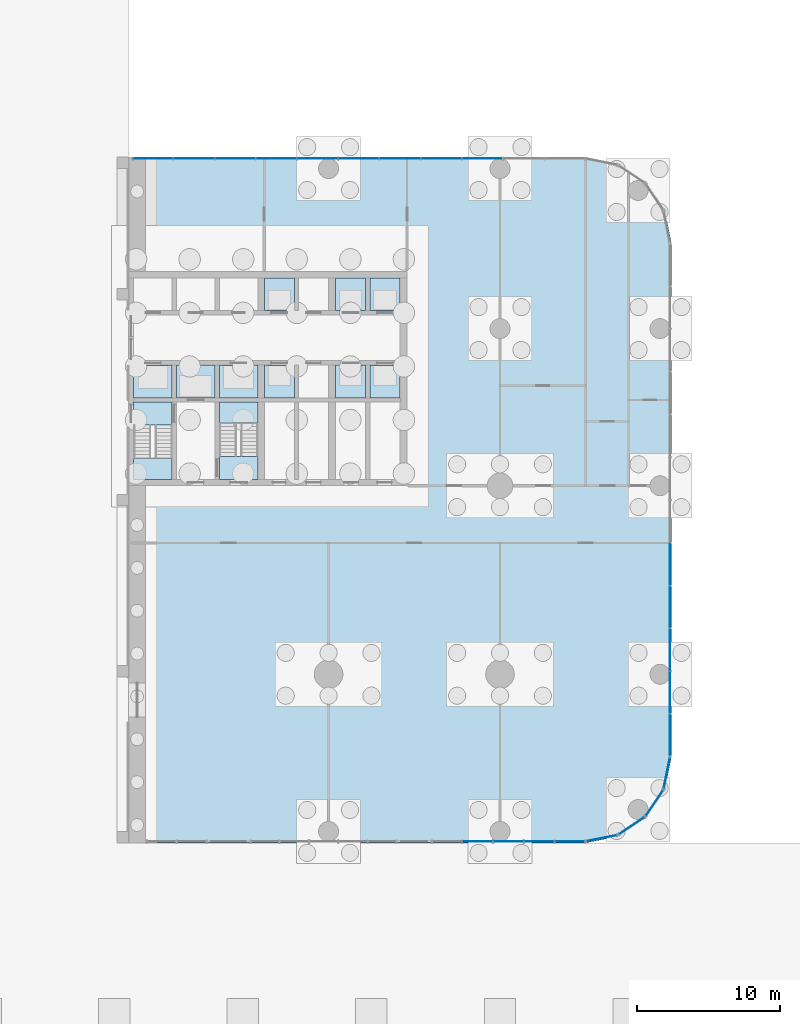
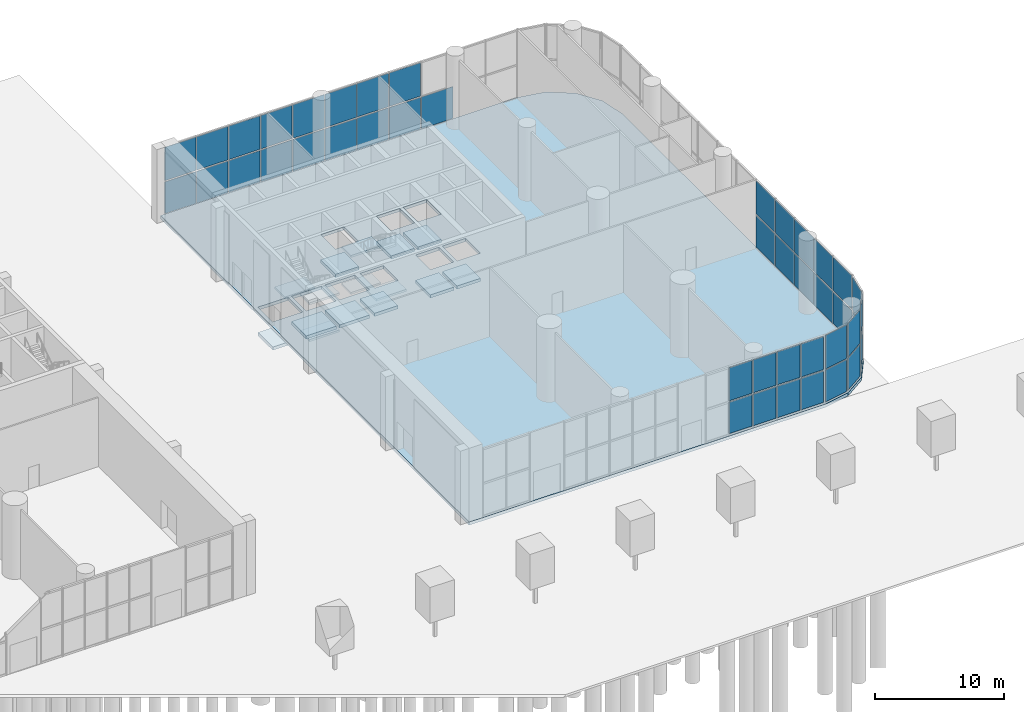
# One storey, part 15 of 26: 43 plates, 16 slabs, 9 elements without a shape of their own.
"""IFC4 building model written with IfcOpenShell, lengths in metres."""

from ifc_helpers import new_model, si_unit, direction, frame, origin, origin_2d, place, context, subcontext, project, spatial, polyline, rectangle, outline, extrude, material, layer, layer_set, type_object, element, aggregate, save


model = new_model("IFC4")

# Units and contexts
model_context = context("Model", 3, precision=1e-05, world=origin(), true_north=direction((0.0, 1.0)))
body_context = subcontext(model_context, "Body", "Model", "MODEL_VIEW")
ifc_project = project(units=[si_unit("LENGTHUNIT", "METRE"), si_unit("AREAUNIT", "SQUARE_METRE"), si_unit("VOLUMEUNIT", "CUBIC_METRE"), si_unit("PLANEANGLEUNIT", "RADIAN"), si_unit("MASSUNIT", "GRAM", prefix="KILO")], contexts=[model_context])

# Site, building, storey
site_placement = place(None, origin())
site = spatial("IfcSite", under=ifc_project, at=site_placement, CompositionType="ELEMENT")
building_placement = place(site_placement, origin())
building = spatial("IfcBuilding", under=site, at=building_placement, Name="Torana Hotel and Residences", CompositionType="ELEMENT")
storey_placement = place(building_placement, origin())
storey = spatial("IfcBuildingStorey", under=building, at=storey_placement, Name="L00", CompositionType="ELEMENT", Elevation=0.0)

# Curtain wall, plates
ifc_material_1 = material(Name="Dark anodised aluminium", Category="aluminium")
ifc_layer_1 = layer(ifc_material_1, 0.199951171875)
ifc_layer_set_1 = layer_set([ifc_layer_1], Name="CW1 PODIUM SHOPFRONT CURTAIN WALL")
curtain_wall_type_1 = type_object("IfcCurtainWallType", Name="CW1 PODIUM SHOPFRONT CURTAIN WALL", PredefinedType="NOTDEFINED", material=ifc_layer_set_1)
curtain_wall_1_placement = place(storey_placement, origin())
curtain_wall_1 = element("IfcCurtainWall", 1, at=curtain_wall_1_placement, inside=storey, type_object=curtain_wall_type_1, Name="Curtain wall CW1 L00 e1.1-1", PredefinedType="NOTDEFINED")
ifc_material_2 = material(Name="Glass clear low-iron double glazed unit", Category="glass")
ifc_layer_2 = layer(ifc_material_2, 0.035888671875)
ifc_layer_set_2 = layer_set([ifc_layer_2], Name="CW1 DARK GLASS PANEL 36")
plate_type_1 = type_object("IfcPlateType", Name="CW1 DARK GLASS PANEL 36", PredefinedType="CURTAIN_PANEL", material=ifc_layer_set_2)
plate_1_placement = place(storey_placement, frame((43.1162109375, -39.676025390625, 0.119873046875), z_axis=(0.0, 0.0, 1.0), x_axis=(0.980787135335, 0.195080996415, 0.0)))
plate_1 = element("IfcPlate", 2, at=plate_1_placement, type_object=plate_type_1, Name="CW1 panel 1.1", PredefinedType="CURTAIN_PANEL", context=body_context, shape_type="SweptSolid", body=[
    extrude(rectangle(XDim=2.126708984375, YDim=0.035888671875, at=origin_2d()), origin(), (0.0, 0.0, 1.0), 3.02001953125),
])
plate_2_placement = place(storey_placement, frame((43.1162109375, -39.676025390625, 3.260009765625), z_axis=(0.0, 0.0, 1.0), x_axis=(0.980787135335, 0.195080996415, 0.0)))
plate_2 = element("IfcPlate", 3, at=plate_2_placement, type_object=plate_type_1, Name="CW1 panel 1.2", PredefinedType="CURTAIN_PANEL", context=body_context, shape_type="SweptSolid", body=[
    extrude(rectangle(XDim=2.126708984375, YDim=0.035888671875, at=origin_2d()), origin(), (0.0, 0.0, 1.0), 3.169921875),
])
aggregate(curtain_wall_1, [plate_1, plate_2])

curtain_wall_2_placement = place(storey_placement, origin())
curtain_wall_2 = element("IfcCurtainWall", 4, at=curtain_wall_2_placement, inside=storey, type_object=curtain_wall_type_1, Name="Curtain wall CW1 L00 e1.2-1", PredefinedType="NOTDEFINED")
plate_3_placement = place(storey_placement, frame((45.2138671875, -38.809814453125, 0.119873046875), z_axis=(0.0, 0.0, 1.0), x_axis=(0.831459585616, 0.555585238723, 0.0)))
plate_3 = element("IfcPlate", 5, at=plate_3_placement, type_object=plate_type_1, Name="CW1 panel 1.1", PredefinedType="CURTAIN_PANEL", context=body_context, shape_type="SweptSolid", body=[
    extrude(rectangle(XDim=2.1015625, YDim=0.035888671875, at=origin_2d()), origin(), (0.0, 0.0, 1.0), 3.02001953125),
])
plate_4_placement = place(storey_placement, frame((45.2138671875, -38.809814453125, 3.260009765625), z_axis=(0.0, 0.0, 1.0), x_axis=(0.831459585616, 0.555585238723, 0.0)))
plate_4 = element("IfcPlate", 6, at=plate_4_placement, type_object=plate_type_1, Name="CW1 panel 1.2", PredefinedType="CURTAIN_PANEL", context=body_context, shape_type="SweptSolid", body=[
    extrude(rectangle(XDim=2.1015625, YDim=0.035888671875, at=origin_2d()), origin(), (0.0, 0.0, 1.0), 3.169921875),
])
aggregate(curtain_wall_2, [plate_3, plate_4])

curtain_wall_3_placement = place(storey_placement, origin())
curtain_wall_3 = element("IfcCurtainWall", 7, at=curtain_wall_3_placement, inside=storey, type_object=curtain_wall_type_1, Name="Curtain wall CW1 L00 e1.3-1", PredefinedType="NOTDEFINED")
plate_5_placement = place(storey_placement, frame((46.809814453125, -37.2138671875, 0.119873046875), z_axis=(0.0, 0.0, 1.0), x_axis=(0.555585238723, 0.831459585616, 0.0)))
plate_5 = element("IfcPlate", 8, at=plate_5_placement, type_object=plate_type_1, Name="CW1 panel 1.1", PredefinedType="CURTAIN_PANEL", context=body_context, shape_type="SweptSolid", body=[
    extrude(rectangle(XDim=2.1015625, YDim=0.035888671875, at=origin_2d()), origin(), (0.0, 0.0, 1.0), 3.02001953125),
])
plate_6_placement = place(storey_placement, frame((46.809814453125, -37.2138671875, 3.260009765625), z_axis=(0.0, 0.0, 1.0), x_axis=(0.555585238723, 0.831459585616, 0.0)))
plate_6 = element("IfcPlate", 9, at=plate_6_placement, type_object=plate_type_1, Name="CW1 panel 1.2", PredefinedType="CURTAIN_PANEL", context=body_context, shape_type="SweptSolid", body=[
    extrude(rectangle(XDim=2.1015625, YDim=0.035888671875, at=origin_2d()), origin(), (0.0, 0.0, 1.0), 3.169921875),
])
aggregate(curtain_wall_3, [plate_5, plate_6])

curtain_wall_4_placement = place(storey_placement, origin())
curtain_wall_4 = element("IfcCurtainWall", 10, at=curtain_wall_4_placement, inside=storey, type_object=curtain_wall_type_1, Name="Curtain wall CW1 L00 e1.4-1", PredefinedType="NOTDEFINED")
plate_7_placement = place(storey_placement, frame((47.676025390625, -35.1162109375, 0.119873046875), z_axis=(0.0, 0.0, 1.0), x_axis=(0.195080996415, 0.980787135335, 0.0)))
plate_7 = element("IfcPlate", 11, at=plate_7_placement, type_object=plate_type_1, Name="CW1 panel 1.1", PredefinedType="CURTAIN_PANEL", context=body_context, shape_type="SweptSolid", body=[
    extrude(rectangle(XDim=2.126708984375, YDim=0.035888671875, at=origin_2d()), origin(), (0.0, 0.0, 1.0), 3.02001953125),
])
plate_8_placement = place(storey_placement, frame((47.676025390625, -35.1162109375, 3.260009765625), z_axis=(0.0, 0.0, 1.0), x_axis=(0.195080996415, 0.980787135335, 0.0)))
plate_8 = element("IfcPlate", 12, at=plate_8_placement, type_object=plate_type_1, Name="CW1 panel 1.2", PredefinedType="CURTAIN_PANEL", context=body_context, shape_type="SweptSolid", body=[
    extrude(rectangle(XDim=2.126708984375, YDim=0.035888671875, at=origin_2d()), origin(), (0.0, 0.0, 1.0), 3.169921875),
])
aggregate(curtain_wall_4, [plate_7, plate_8])

curtain_wall_5_placement = place(storey_placement, origin())
curtain_wall_5 = element("IfcCurtainWall", 13, at=curtain_wall_5_placement, inside=storey, type_object=curtain_wall_type_1, Name="Curtain wall CW1 L00 e1.5-1", PredefinedType="NOTDEFINED")
plate_9_placement = place(storey_placement, frame((47.89990234375, -32.4599609375, 0.119873046875), z_axis=(0.0, 0.0, 1.0), x_axis=(0.0, 1.0, 0.0)))
plate_9 = element("IfcPlate", 14, at=plate_9_placement, type_object=plate_type_1, Name="CW1 panel 1.1", PredefinedType="CURTAIN_PANEL", context=body_context, shape_type="SweptSolid", body=[
    extrude(rectangle(XDim=2.890869140625, YDim=0.035888671875, at=origin_2d()), origin(), (0.0, 0.0, 1.0), 3.02001953125),
])
plate_10_placement = place(storey_placement, frame((47.89990234375, -32.4599609375, 3.260009765625), z_axis=(0.0, 0.0, 1.0), x_axis=(0.0, 1.0, 0.0)))
plate_10 = element("IfcPlate", 15, at=plate_10_placement, type_object=plate_type_1, Name="CW1 panel 1.2", PredefinedType="CURTAIN_PANEL", context=body_context, shape_type="SweptSolid", body=[
    extrude(rectangle(XDim=2.890869140625, YDim=0.035888671875, at=origin_2d()), origin(), (0.0, 0.0, 1.0), 3.169921875),
])
plate_11_placement = place(storey_placement, frame((47.89990234375, -29.4814453125, 0.119873046875), z_axis=(0.0, 0.0, 1.0), x_axis=(0.0, 1.0, 0.0)))
plate_11 = element("IfcPlate", 16, at=plate_11_placement, type_object=plate_type_1, Name="CW1 panel 2.1", PredefinedType="CURTAIN_PANEL", context=body_context, shape_type="SweptSolid", body=[
    extrude(rectangle(XDim=2.92578125, YDim=0.035888671875, at=origin_2d()), origin(), (0.0, 0.0, 1.0), 3.02001953125),
])
plate_12_placement = place(storey_placement, frame((47.89990234375, -29.4814453125, 3.260009765625), z_axis=(0.0, 0.0, 1.0), x_axis=(0.0, 1.0, 0.0)))
plate_12 = element("IfcPlate", 17, at=plate_12_placement, type_object=plate_type_1, Name="CW1 panel 2.2", PredefinedType="CURTAIN_PANEL", context=body_context, shape_type="SweptSolid", body=[
    extrude(rectangle(XDim=2.92578125, YDim=0.035888671875, at=origin_2d()), origin(), (0.0, 0.0, 1.0), 3.169921875),
])
plate_13_placement = place(storey_placement, frame((47.89990234375, -26.485595703125, 0.119873046875), z_axis=(0.0, 0.0, 1.0), x_axis=(0.0, 1.0, 0.0)))
plate_13 = element("IfcPlate", 18, at=plate_13_placement, type_object=plate_type_1, Name="CW1 panel 3.1", PredefinedType="CURTAIN_PANEL", context=body_context, shape_type="SweptSolid", body=[
    extrude(rectangle(XDim=2.92578125, YDim=0.035888671875, at=origin_2d()), origin(), (0.0, 0.0, 1.0), 3.02001953125),
])
plate_14_placement = place(storey_placement, frame((47.89990234375, -26.485595703125, 3.260009765625), z_axis=(0.0, 0.0, 1.0), x_axis=(0.0, 1.0, 0.0)))
plate_14 = element("IfcPlate", 19, at=plate_14_placement, type_object=plate_type_1, Name="CW1 panel 3.2", PredefinedType="CURTAIN_PANEL", context=body_context, shape_type="SweptSolid", body=[
    extrude(rectangle(XDim=2.92578125, YDim=0.035888671875, at=origin_2d()), origin(), (0.0, 0.0, 1.0), 3.169921875),
])
plate_15_placement = place(storey_placement, frame((47.89990234375, -23.48974609375, 0.119873046875), z_axis=(0.0, 0.0, 1.0), x_axis=(0.0, 1.0, 0.0)))
plate_15 = element("IfcPlate", 20, at=plate_15_placement, type_object=plate_type_1, Name="CW1 panel 4.1", PredefinedType="CURTAIN_PANEL", context=body_context, shape_type="SweptSolid", body=[
    extrude(rectangle(XDim=2.92578125, YDim=0.035888671875, at=origin_2d()), origin(), (0.0, 0.0, 1.0), 3.02001953125),
])
plate_16_placement = place(storey_placement, frame((47.89990234375, -23.48974609375, 3.260009765625), z_axis=(0.0, 0.0, 1.0), x_axis=(0.0, 1.0, 0.0)))
plate_16 = element("IfcPlate", 21, at=plate_16_placement, type_object=plate_type_1, Name="CW1 panel 4.2", PredefinedType="CURTAIN_PANEL", context=body_context, shape_type="SweptSolid", body=[
    extrude(rectangle(XDim=2.92578125, YDim=0.035888671875, at=origin_2d()), origin(), (0.0, 0.0, 1.0), 3.169921875),
])
plate_17_placement = place(storey_placement, frame((47.89990234375, -20.493896484375, 0.119873046875), z_axis=(0.0, 0.0, 1.0), x_axis=(0.0, 1.0, 0.0)))
plate_17 = element("IfcPlate", 22, at=plate_17_placement, type_object=plate_type_1, Name="CW1 panel 5.1", PredefinedType="CURTAIN_PANEL", context=body_context, shape_type="SweptSolid", body=[
    extrude(rectangle(XDim=2.92578125, YDim=0.035888671875, at=origin_2d()), origin(), (0.0, 0.0, 1.0), 3.02001953125),
])
plate_18_placement = place(storey_placement, frame((47.89990234375, -20.493896484375, 3.260009765625), z_axis=(0.0, 0.0, 1.0), x_axis=(0.0, 1.0, 0.0)))
plate_18 = element("IfcPlate", 23, at=plate_18_placement, type_object=plate_type_1, Name="CW1 panel 5.2", PredefinedType="CURTAIN_PANEL", context=body_context, shape_type="SweptSolid", body=[
    extrude(rectangle(XDim=2.92578125, YDim=0.035888671875, at=origin_2d()), origin(), (0.0, 0.0, 1.0), 3.169921875),
])
aggregate(curtain_wall_5, [plate_9, plate_10, plate_11, plate_12, plate_13, plate_14, plate_15, plate_16, plate_17, plate_18])

curtain_wall_6_placement = place(storey_placement, origin())
curtain_wall_6 = element("IfcCurtainWall", 24, at=curtain_wall_6_placement, inside=storey, type_object=curtain_wall_type_1, Name="Curtain wall CW1 L00 e1.10-1", PredefinedType="NOTDEFINED")
plate_19_placement = place(storey_placement, frame((34.76513671875, 7.89990234375, 0.119873046875), z_axis=(0.0, 0.0, 1.0), x_axis=(-1.0, 0.0, 0.0)))
plate_19 = element("IfcPlate", 25, at=plate_19_placement, type_object=plate_type_1, Name="CW1 panel 3.1", PredefinedType="CURTAIN_PANEL", context=body_context, shape_type="SweptSolid", body=[
    extrude(rectangle(XDim=2.814208984375, YDim=0.035888671875, at=origin_2d()), origin(), (0.0, 0.0, 1.0), 3.02001953125),
])
plate_20_placement = place(storey_placement, frame((31.880859375, 7.89990234375, 0.119873046875), z_axis=(0.0, 0.0, 1.0), x_axis=(-1.0, 0.0, 0.0)))
plate_20 = element("IfcPlate", 26, at=plate_20_placement, type_object=plate_type_1, Name="CW1 panel 4.1", PredefinedType="CURTAIN_PANEL", context=body_context, shape_type="SweptSolid", body=[
    extrude(rectangle(XDim=2.814208984375, YDim=0.035888671875, at=origin_2d()), origin(), (0.0, 0.0, 1.0), 3.02001953125),
])
plate_21_placement = place(storey_placement, frame((31.880859375, 7.89990234375, 3.260009765625), z_axis=(0.0, 0.0, 1.0), x_axis=(-1.0, 0.0, 0.0)))
plate_21 = element("IfcPlate", 27, at=plate_21_placement, type_object=plate_type_1, Name="CW1 panel 4.2", PredefinedType="CURTAIN_PANEL", context=body_context, shape_type="SweptSolid", body=[
    extrude(rectangle(XDim=2.814208984375, YDim=0.035888671875, at=origin_2d()), origin(), (0.0, 0.0, 1.0), 3.169921875),
])
plate_22_placement = place(storey_placement, frame((28.996826171875, 7.89990234375, 0.119873046875), z_axis=(0.0, 0.0, 1.0), x_axis=(-1.0, 0.0, 0.0)))
plate_22 = element("IfcPlate", 28, at=plate_22_placement, type_object=plate_type_1, Name="CW1 panel 5.1", PredefinedType="CURTAIN_PANEL", context=body_context, shape_type="SweptSolid", body=[
    extrude(rectangle(XDim=2.814208984375, YDim=0.035888671875, at=origin_2d()), origin(), (0.0, 0.0, 1.0), 3.02001953125),
])
plate_23_placement = place(storey_placement, frame((28.996826171875, 7.89990234375, 3.260009765625), z_axis=(0.0, 0.0, 1.0), x_axis=(-1.0, 0.0, 0.0)))
plate_23 = element("IfcPlate", 29, at=plate_23_placement, type_object=plate_type_1, Name="CW1 panel 5.2", PredefinedType="CURTAIN_PANEL", context=body_context, shape_type="SweptSolid", body=[
    extrude(rectangle(XDim=2.814208984375, YDim=0.035888671875, at=origin_2d()), origin(), (0.0, 0.0, 1.0), 3.169921875),
])
plate_24_placement = place(storey_placement, frame((26.11279296875, 7.89990234375, 0.119873046875), z_axis=(0.0, 0.0, 1.0), x_axis=(-1.0, 0.0, 0.0)))
plate_24 = element("IfcPlate", 30, at=plate_24_placement, type_object=plate_type_1, Name="CW1 panel 6.1", PredefinedType="CURTAIN_PANEL", context=body_context, shape_type="SweptSolid", body=[
    extrude(rectangle(XDim=2.814208984375, YDim=0.035888671875, at=origin_2d()), origin(), (0.0, 0.0, 1.0), 3.02001953125),
])
plate_25_placement = place(storey_placement, frame((26.11279296875, 7.89990234375, 3.260009765625), z_axis=(0.0, 0.0, 1.0), x_axis=(-1.0, 0.0, 0.0)))
plate_25 = element("IfcPlate", 31, at=plate_25_placement, type_object=plate_type_1, Name="CW1 panel 6.2", PredefinedType="CURTAIN_PANEL", context=body_context, shape_type="SweptSolid", body=[
    extrude(rectangle(XDim=2.814208984375, YDim=0.035888671875, at=origin_2d()), origin(), (0.0, 0.0, 1.0), 3.169921875),
])
plate_26_placement = place(storey_placement, frame((23.228515625, 7.89990234375, 0.119873046875), z_axis=(0.0, 0.0, 1.0), x_axis=(-1.0, 0.0, 0.0)))
plate_26 = element("IfcPlate", 32, at=plate_26_placement, type_object=plate_type_1, Name="CW1 panel 7.1", PredefinedType="CURTAIN_PANEL", context=body_context, shape_type="SweptSolid", body=[
    extrude(rectangle(XDim=2.814208984375, YDim=0.035888671875, at=origin_2d()), origin(), (0.0, 0.0, 1.0), 3.02001953125),
])
plate_27_placement = place(storey_placement, frame((23.228515625, 7.89990234375, 3.260009765625), z_axis=(0.0, 0.0, 1.0), x_axis=(-1.0, 0.0, 0.0)))
plate_27 = element("IfcPlate", 33, at=plate_27_placement, type_object=plate_type_1, Name="CW1 panel 7.2", PredefinedType="CURTAIN_PANEL", context=body_context, shape_type="SweptSolid", body=[
    extrude(rectangle(XDim=2.814208984375, YDim=0.035888671875, at=origin_2d()), origin(), (0.0, 0.0, 1.0), 3.169921875),
])
plate_28_placement = place(storey_placement, frame((20.344482421875, 7.89990234375, 0.119873046875), z_axis=(0.0, 0.0, 1.0), x_axis=(-1.0, 0.0, 0.0)))
plate_28 = element("IfcPlate", 34, at=plate_28_placement, type_object=plate_type_1, Name="CW1 panel 8.1", PredefinedType="CURTAIN_PANEL", context=body_context, shape_type="SweptSolid", body=[
    extrude(rectangle(XDim=2.814208984375, YDim=0.035888671875, at=origin_2d()), origin(), (0.0, 0.0, 1.0), 3.02001953125),
])
plate_29_placement = place(storey_placement, frame((20.344482421875, 7.89990234375, 3.260009765625), z_axis=(0.0, 0.0, 1.0), x_axis=(-1.0, 0.0, 0.0)))
plate_29 = element("IfcPlate", 35, at=plate_29_placement, type_object=plate_type_1, Name="CW1 panel 8.2", PredefinedType="CURTAIN_PANEL", context=body_context, shape_type="SweptSolid", body=[
    extrude(rectangle(XDim=2.814208984375, YDim=0.035888671875, at=origin_2d()), origin(), (0.0, 0.0, 1.0), 3.169921875),
])
plate_30_placement = place(storey_placement, frame((17.460205078125, 7.89990234375, 0.119873046875), z_axis=(0.0, 0.0, 1.0), x_axis=(-1.0, 0.0, 0.0)))
plate_30 = element("IfcPlate", 36, at=plate_30_placement, type_object=plate_type_1, Name="CW1 panel 9.1", PredefinedType="CURTAIN_PANEL", context=body_context, shape_type="SweptSolid", body=[
    extrude(rectangle(XDim=2.814208984375, YDim=0.035888671875, at=origin_2d()), origin(), (0.0, 0.0, 1.0), 3.02001953125),
])
plate_31_placement = place(storey_placement, frame((17.460205078125, 7.89990234375, 3.260009765625), z_axis=(0.0, 0.0, 1.0), x_axis=(-1.0, 0.0, 0.0)))
plate_31 = element("IfcPlate", 37, at=plate_31_placement, type_object=plate_type_1, Name="CW1 panel 9.2", PredefinedType="CURTAIN_PANEL", context=body_context, shape_type="SweptSolid", body=[
    extrude(rectangle(XDim=2.814208984375, YDim=0.035888671875, at=origin_2d()), origin(), (0.0, 0.0, 1.0), 3.169921875),
])
plate_32_placement = place(storey_placement, frame((14.576171875, 7.89990234375, 0.119873046875), z_axis=(0.0, 0.0, 1.0), x_axis=(-1.0, 0.0, 0.0)))
plate_32 = element("IfcPlate", 38, at=plate_32_placement, type_object=plate_type_1, Name="CW1 panel 10.1", PredefinedType="CURTAIN_PANEL", context=body_context, shape_type="SweptSolid", body=[
    extrude(rectangle(XDim=2.814208984375, YDim=0.035888671875, at=origin_2d()), origin(), (0.0, 0.0, 1.0), 3.02001953125),
])
plate_33_placement = place(storey_placement, frame((14.576171875, 7.89990234375, 3.260009765625), z_axis=(0.0, 0.0, 1.0), x_axis=(-1.0, 0.0, 0.0)))
plate_33 = element("IfcPlate", 39, at=plate_33_placement, type_object=plate_type_1, Name="CW1 panel 10.2", PredefinedType="CURTAIN_PANEL", context=body_context, shape_type="SweptSolid", body=[
    extrude(rectangle(XDim=2.814208984375, YDim=0.035888671875, at=origin_2d()), origin(), (0.0, 0.0, 1.0), 3.169921875),
])
plate_34_placement = place(storey_placement, frame((11.70947265625, 7.89990234375, 0.119873046875), z_axis=(0.0, 0.0, 1.0), x_axis=(-1.0, 0.0, 0.0)))
plate_34 = element("IfcPlate", 40, at=plate_34_placement, type_object=plate_type_1, Name="CW1 panel 11.1", PredefinedType="CURTAIN_PANEL", context=body_context, shape_type="SweptSolid", body=[
    extrude(rectangle(XDim=2.779052734375, YDim=0.035888671875, at=origin_2d()), origin(), (0.0, 0.0, 1.0), 3.02001953125),
])
plate_35_placement = place(storey_placement, frame((11.70947265625, 7.89990234375, 3.260009765625), z_axis=(0.0, 0.0, 1.0), x_axis=(-1.0, 0.0, 0.0)))
plate_35 = element("IfcPlate", 41, at=plate_35_placement, type_object=plate_type_1, Name="CW1 panel 11.2", PredefinedType="CURTAIN_PANEL", context=body_context, shape_type="SweptSolid", body=[
    extrude(rectangle(XDim=2.779052734375, YDim=0.035888671875, at=origin_2d()), origin(), (0.0, 0.0, 1.0), 3.169921875),
])
aggregate(curtain_wall_6, [plate_19, plate_20, plate_21, plate_22, plate_23, plate_24, plate_25, plate_26, plate_27, plate_28, plate_29, plate_30, plate_31, plate_32, plate_33, plate_34, plate_35])

ifc_material_3 = material(Name="Dark anodised aluminium", Category="aluminium")
ifc_layer_3 = layer(ifc_material_3, 0.25)
ifc_layer_set_3 = layer_set([ifc_layer_3], Name="CW6 LOBBY ENTRANCE FRONT CURTAIN WALL")
curtain_wall_type_2 = type_object("IfcCurtainWallType", Name="CW6 LOBBY ENTRANCE FRONT CURTAIN WALL", PredefinedType="NOTDEFINED", material=ifc_layer_set_3)
curtain_wall_7_placement = place(storey_placement, origin())
curtain_wall_7 = element("IfcCurtainWall", 42, at=curtain_wall_7_placement, inside=storey, type_object=curtain_wall_type_2, Name="Curtain wall CW6 L00 e1.0-5", PredefinedType="NOTDEFINED")
ifc_material_4 = material(Name="Glass clear low-iron toughened double glazed unit", Category="glass")
ifc_layer_4 = layer(ifc_material_4, 0.0400390625)
ifc_layer_set_4 = layer_set([ifc_layer_4], Name="CW6 DARK GLASS PANEL 40")
plate_type_2 = type_object("IfcPlateType", Name="CW6 DARK GLASS PANEL 40", PredefinedType="CURTAIN_PANEL", material=ifc_layer_set_4)
plate_36_placement = place(storey_placement, frame((34.4326171875, -39.89990234375, 0.14990234375), z_axis=(0.0, 0.0, 1.0), x_axis=(1.0, 0.0, 0.0)))
plate_36 = element("IfcPlate", 43, at=plate_36_placement, type_object=plate_type_2, Name="CW6 panel 2.1", PredefinedType="CURTAIN_PANEL", context=body_context, shape_type="SweptSolid", body=[
    extrude(rectangle(XDim=2.065185546875, YDim=0.0400390625, at=origin_2d()), origin(), (0.0, 0.0, 1.0), 2.97509765625),
])
plate_37_placement = place(storey_placement, frame((34.4326171875, -39.89990234375, 3.27490234375), z_axis=(0.0, 0.0, 1.0), x_axis=(1.0, 0.0, 0.0)))
plate_37 = element("IfcPlate", 44, at=plate_37_placement, type_object=plate_type_2, Name="CW6 panel 2.2", PredefinedType="CURTAIN_PANEL", context=body_context, shape_type="SweptSolid", body=[
    extrude(rectangle(XDim=2.065185546875, YDim=0.0400390625, at=origin_2d()), origin(), (0.0, 0.0, 1.0), 3.125),
])
plate_38_placement = place(storey_placement, frame((36.587646484375, -39.89990234375, 0.14990234375), z_axis=(0.0, 0.0, 1.0), x_axis=(1.0, 0.0, 0.0)))
plate_38 = element("IfcPlate", 45, at=plate_38_placement, type_object=plate_type_2, Name="CW6 panel 3.1", PredefinedType="CURTAIN_PANEL", context=body_context, shape_type="SweptSolid", body=[
    extrude(rectangle(XDim=2.065185546875, YDim=0.0400390625, at=origin_2d()), origin(), (0.0, 0.0, 1.0), 2.97509765625),
])
plate_39_placement = place(storey_placement, frame((36.587646484375, -39.89990234375, 3.27490234375), z_axis=(0.0, 0.0, 1.0), x_axis=(1.0, 0.0, 0.0)))
plate_39 = element("IfcPlate", 46, at=plate_39_placement, type_object=plate_type_2, Name="CW6 panel 3.2", PredefinedType="CURTAIN_PANEL", context=body_context, shape_type="SweptSolid", body=[
    extrude(rectangle(XDim=2.065185546875, YDim=0.0400390625, at=origin_2d()), origin(), (0.0, 0.0, 1.0), 3.125),
])
plate_40_placement = place(storey_placement, frame((38.74267578125, -39.89990234375, 0.14990234375), z_axis=(0.0, 0.0, 1.0), x_axis=(1.0, 0.0, 0.0)))
plate_40 = element("IfcPlate", 47, at=plate_40_placement, type_object=plate_type_2, Name="CW6 panel 4.1", PredefinedType="CURTAIN_PANEL", context=body_context, shape_type="SweptSolid", body=[
    extrude(rectangle(XDim=2.065185546875, YDim=0.0400390625, at=origin_2d()), origin(), (0.0, 0.0, 1.0), 2.97509765625),
])
plate_41_placement = place(storey_placement, frame((38.74267578125, -39.89990234375, 3.27490234375), z_axis=(0.0, 0.0, 1.0), x_axis=(1.0, 0.0, 0.0)))
plate_41 = element("IfcPlate", 48, at=plate_41_placement, type_object=plate_type_2, Name="CW6 panel 4.2", PredefinedType="CURTAIN_PANEL", context=body_context, shape_type="SweptSolid", body=[
    extrude(rectangle(XDim=2.065185546875, YDim=0.0400390625, at=origin_2d()), origin(), (0.0, 0.0, 1.0), 3.125),
])
plate_42_placement = place(storey_placement, frame((40.875244140625, -39.89990234375, 0.14990234375), z_axis=(0.0, 0.0, 1.0), x_axis=(1.0, 0.0, 0.0)))
plate_42 = element("IfcPlate", 49, at=plate_42_placement, type_object=plate_type_2, Name="CW6 panel 5.1", PredefinedType="CURTAIN_PANEL", context=body_context, shape_type="SweptSolid", body=[
    extrude(rectangle(XDim=2.02001953125, YDim=0.0400390625, at=origin_2d()), origin(), (0.0, 0.0, 1.0), 2.97509765625),
])
plate_43_placement = place(storey_placement, frame((40.875244140625, -39.89990234375, 3.27490234375), z_axis=(0.0, 0.0, 1.0), x_axis=(1.0, 0.0, 0.0)))
plate_43 = element("IfcPlate", 50, at=plate_43_placement, type_object=plate_type_2, Name="CW6 panel 5.2", PredefinedType="CURTAIN_PANEL", context=body_context, shape_type="SweptSolid", body=[
    extrude(rectangle(XDim=2.02001953125, YDim=0.0400390625, at=origin_2d()), origin(), (0.0, 0.0, 1.0), 3.125),
])
aggregate(curtain_wall_7, [plate_36, plate_37, plate_38, plate_39, plate_40, plate_41, plate_42, plate_43])

# Slabs
ifc_material_5 = material(Name="Concrete C40/50", Category="concrete")
ifc_layer_5 = layer(ifc_material_5, 0.300048828125)
ifc_layer_set_5 = layer_set([ifc_layer_5], Name="GROUND SLAB 300")
slab_type_1 = type_object("IfcSlabType", Name="GROUND SLAB 300", PredefinedType="BASESLAB", material=ifc_layer_set_5)
slab_1_placement = place(storey_placement, frame((0.0, 0.0, -0.300048828125)))
element("IfcSlab", 51, at=slab_1_placement, inside=storey, type_object=slab_type_1, Name="Slab on grade", PredefinedType="BASESLAB", context=body_context, shape_type="SweptSolid", body=[
    extrude(outline(polyline([(10.0, -40.0), (42.0, -40.0), (44.296142578125, -39.543212890625), (46.24267578125, -38.24267578125), (47.543212890625, -36.296142578125), (48.0, -34.0), (48.0, 2.0), (47.543212890625, 4.296142578125), (46.24267578125, 6.24267578125), (44.296142578125, 7.543212890625), (42.0, 8.0), (10.0, 8.0), (10.0, -40.0)]), holes=[polyline([(24.5, -2.75), (26.60009765625, -2.75), (26.60009765625, -0.449951171875), (24.5, -0.449951171875), (24.5, -2.75)]), polyline([(26.89990234375, -2.75), (29.0, -2.75), (29.0, -0.449951171875), (26.89990234375, -0.449951171875), (26.89990234375, -2.75)]), polyline([(24.5, -8.85009765625), (26.60009765625, -8.85009765625), (26.60009765625, -6.550048828125), (24.5, -6.550048828125), (24.5, -8.85009765625)]), polyline([(26.89990234375, -8.85009765625), (29.0, -8.85009765625), (29.0, -6.550048828125), (26.89990234375, -6.550048828125), (26.89990234375, -8.85009765625)]), polyline([(19.5, -2.75), (21.60009765625, -2.75), (21.60009765625, -0.449951171875), (19.5, -0.449951171875), (19.5, -2.75)]), polyline([(19.5, -8.85009765625), (21.60009765625, -8.85009765625), (21.60009765625, -6.550048828125), (19.5, -6.550048828125), (19.5, -8.85009765625)]), polyline([(10.35009765625, -8.85009765625), (13.050048828125, -8.85009765625), (13.050048828125, -6.550048828125), (10.35009765625, -6.550048828125), (10.35009765625, -8.85009765625)]), polyline([(13.35009765625, -8.85009765625), (16.050048828125, -8.85009765625), (16.050048828125, -6.550048828125), (13.35009765625, -6.550048828125), (13.35009765625, -8.85009765625)]), polyline([(16.35009765625, -8.85009765625), (19.050048828125, -8.85009765625), (19.050048828125, -6.550048828125), (16.35009765625, -6.550048828125), (16.35009765625, -8.85009765625)])]), origin(), (0.0, 0.0, 1.0), 0.300048828125),
])
ifc_material_6 = material(Name="Concrete C50/60", Category="concrete")
ifc_layer_6 = layer(ifc_material_6, 0.300048828125)
ifc_layer_set_6 = layer_set([ifc_layer_6], Name="LIFT PIT SLAB 300")
slab_type_2 = type_object("IfcSlabType", Name="LIFT PIT SLAB 300", PredefinedType="USERDEFINED", material=ifc_layer_set_6)
slab_2_placement = place(storey_placement, frame((0.0, 0.0, -2.699951171875)))
element("IfcSlab", 52, at=slab_2_placement, inside=storey, type_object=slab_type_2, Name="Lift pit slab L5", ObjectType="LIFT PIT", PredefinedType="USERDEFINED", context=body_context, shape_type="SweptSolid", body=[
    extrude(outline(polyline([(24.5, -2.75), (26.60009765625, -2.75), (26.60009765625, -0.449951171875), (24.5, -0.449951171875), (24.5, -2.75)])), origin(), (0.0, 0.0, 1.0), 0.300048828125),
])
slab_3_placement = place(storey_placement, frame((0.0, 0.0, -2.699951171875)))
element("IfcSlab", 53, at=slab_3_placement, inside=storey, type_object=slab_type_2, Name="Lift pit slab L6", ObjectType="LIFT PIT", PredefinedType="USERDEFINED", context=body_context, shape_type="SweptSolid", body=[
    extrude(outline(polyline([(26.89990234375, -2.75), (29.0, -2.75), (29.0, -0.449951171875), (26.89990234375, -0.449951171875), (26.89990234375, -2.75)])), origin(), (0.0, 0.0, 1.0), 0.300048828125),
])
slab_4_placement = place(storey_placement, frame((0.0, 0.0, -2.699951171875)))
element("IfcSlab", 54, at=slab_4_placement, inside=storey, type_object=slab_type_2, Name="Lift pit slab L7", ObjectType="LIFT PIT", PredefinedType="USERDEFINED", context=body_context, shape_type="SweptSolid", body=[
    extrude(outline(polyline([(24.5, -8.85009765625), (26.60009765625, -8.85009765625), (26.60009765625, -6.550048828125), (24.5, -6.550048828125), (24.5, -8.85009765625)])), origin(), (0.0, 0.0, 1.0), 0.300048828125),
])
slab_5_placement = place(storey_placement, frame((0.0, 0.0, -2.699951171875)))
element("IfcSlab", 55, at=slab_5_placement, inside=storey, type_object=slab_type_2, Name="Lift pit slab L8", ObjectType="LIFT PIT", PredefinedType="USERDEFINED", context=body_context, shape_type="SweptSolid", body=[
    extrude(outline(polyline([(26.89990234375, -8.85009765625), (29.0, -8.85009765625), (29.0, -6.550048828125), (26.89990234375, -6.550048828125), (26.89990234375, -8.85009765625)])), origin(), (0.0, 0.0, 1.0), 0.300048828125),
])
slab_6_placement = place(storey_placement, frame((0.0, 0.0, -2.699951171875)))
element("IfcSlab", 56, at=slab_6_placement, inside=storey, type_object=slab_type_2, Name="Lift pit slab S2", ObjectType="LIFT PIT", PredefinedType="USERDEFINED", context=body_context, shape_type="SweptSolid", body=[
    extrude(outline(polyline([(19.5, -2.75), (21.60009765625, -2.75), (21.60009765625, -0.449951171875), (19.5, -0.449951171875), (19.5, -2.75)])), origin(), (0.0, 0.0, 1.0), 0.300048828125),
])
slab_7_placement = place(storey_placement, frame((0.0, 0.0, -2.699951171875)))
element("IfcSlab", 57, at=slab_7_placement, inside=storey, type_object=slab_type_2, Name="Lift pit slab S4", ObjectType="LIFT PIT", PredefinedType="USERDEFINED", context=body_context, shape_type="SweptSolid", body=[
    extrude(outline(polyline([(19.5, -8.85009765625), (21.60009765625, -8.85009765625), (21.60009765625, -6.550048828125), (19.5, -6.550048828125), (19.5, -8.85009765625)])), origin(), (0.0, 0.0, 1.0), 0.300048828125),
])
slab_8_placement = place(storey_placement, frame((0.0, 0.0, -2.699951171875)))
element("IfcSlab", 58, at=slab_8_placement, inside=storey, type_object=slab_type_2, Name="Lift pit slab X2", ObjectType="LIFT PIT", PredefinedType="USERDEFINED", context=body_context, shape_type="SweptSolid", body=[
    extrude(outline(polyline([(10.35009765625, -8.85009765625), (13.050048828125, -8.85009765625), (13.050048828125, -6.550048828125), (10.35009765625, -6.550048828125), (10.35009765625, -8.85009765625)])), origin(), (0.0, 0.0, 1.0), 0.300048828125),
])
slab_9_placement = place(storey_placement, frame((0.0, 0.0, -2.699951171875)))
element("IfcSlab", 59, at=slab_9_placement, inside=storey, type_object=slab_type_2, Name="Lift pit slab FF2", ObjectType="LIFT PIT", PredefinedType="USERDEFINED", context=body_context, shape_type="SweptSolid", body=[
    extrude(outline(polyline([(13.35009765625, -8.85009765625), (16.050048828125, -8.85009765625), (16.050048828125, -6.550048828125), (13.35009765625, -6.550048828125), (13.35009765625, -8.85009765625)])), origin(), (0.0, 0.0, 1.0), 0.300048828125),
])
slab_10_placement = place(storey_placement, frame((0.0, 0.0, -2.699951171875)))
element("IfcSlab", 60, at=slab_10_placement, inside=storey, type_object=slab_type_2, Name="Lift pit slab SV2", ObjectType="LIFT PIT", PredefinedType="USERDEFINED", context=body_context, shape_type="SweptSolid", body=[
    extrude(outline(polyline([(16.35009765625, -8.85009765625), (19.050048828125, -8.85009765625), (19.050048828125, -6.550048828125), (16.35009765625, -6.550048828125), (16.35009765625, -8.85009765625)])), origin(), (0.0, 0.0, 1.0), 0.300048828125),
])

# Stair, slabs
ifc_material_7 = material(Name="Concrete C40/50 precast", Category="concrete")
stair_type_1 = type_object("IfcStairType", Name="STAIR ST3 HALF TURN 1200", PredefinedType="HALF_TURN_STAIR", material=ifc_material_7)
stair_1_placement = place(storey_placement, origin())
stair_1 = element("IfcStair", 61, at=stair_1_placement, inside=storey, type_object=stair_type_1, Name="Stair ST3 L00", PredefinedType="HALF_TURN_STAIR")
ifc_material_8 = material(Name="Concrete C40/50 precast", Category="concrete")
ifc_layer_7 = layer(ifc_material_8, 0.199951171875)
ifc_layer_set_7 = layer_set([ifc_layer_7], Name="STAIR LANDING 200")
slab_type_3 = type_object("IfcSlabType", Name="STAIR LANDING 200", PredefinedType="LANDING", material=ifc_layer_set_7)
slab_11_placement = place(storey_placement, frame((0.0, 0.0, 1.550048828125)))
slab_11 = element("IfcSlab", 62, at=slab_11_placement, type_object=slab_type_3, Name="ST3 landing 1", PredefinedType="LANDING", context=body_context, shape_type="SweptSolid", body=[
    extrude(outline(polyline([(10.35009765625, -14.550048828125), (13.050048828125, -14.550048828125), (13.050048828125, -13.090087890625), (10.35009765625, -13.090087890625), (10.35009765625, -14.550048828125)])), origin(), (0.0, 0.0, 1.0), 0.199951171875),
])
slab_12_placement = place(storey_placement, frame((0.0, 0.0, 5.050048828125)))
slab_12 = element("IfcSlab", 63, at=slab_12_placement, type_object=slab_type_3, Name="ST3 landing 2", PredefinedType="LANDING", context=body_context, shape_type="SweptSolid", body=[
    extrude(outline(polyline([(10.35009765625, -14.550048828125), (13.050048828125, -14.550048828125), (13.050048828125, -13.090087890625), (10.35009765625, -13.090087890625), (10.35009765625, -14.550048828125)])), origin(), (0.0, 0.0, 1.0), 0.199951171875),
])
slab_13_placement = place(storey_placement, frame((0.0, 0.0, 3.300048828125)))
slab_13 = element("IfcSlab", 64, at=slab_13_placement, type_object=slab_type_3, Name="ST3 landing 3", PredefinedType="LANDING", context=body_context, shape_type="SweptSolid", body=[
    extrude(outline(polyline([(10.35009765625, -10.75), (13.050048828125, -10.75), (13.050048828125, -9.14990234375), (10.35009765625, -9.14990234375), (10.35009765625, -10.75)])), origin(), (0.0, 0.0, 1.0), 0.199951171875),
])
aggregate(stair_1, [slab_11, slab_12, slab_13])

ifc_material_9 = material(Name="Concrete C40/50 precast", Category="concrete")
stair_type_2 = type_object("IfcStairType", Name="STAIR ST4 HALF TURN 1200", PredefinedType="HALF_TURN_STAIR", material=ifc_material_9)
stair_2_placement = place(storey_placement, origin())
stair_2 = element("IfcStair", 65, at=stair_2_placement, inside=storey, type_object=stair_type_2, Name="Stair ST4 L00", PredefinedType="HALF_TURN_STAIR")
slab_14_placement = place(storey_placement, frame((0.0, 0.0, 1.550048828125)))
slab_14 = element("IfcSlab", 66, at=slab_14_placement, type_object=slab_type_3, Name="ST4 landing 1", PredefinedType="LANDING", context=body_context, shape_type="SweptSolid", body=[
    extrude(outline(polyline([(16.35009765625, -10.610107421875), (19.050048828125, -10.610107421875), (19.050048828125, -9.14990234375), (16.35009765625, -9.14990234375), (16.35009765625, -10.610107421875)])), origin(), (0.0, 0.0, 1.0), 0.199951171875),
])
slab_15_placement = place(storey_placement, frame((0.0, 0.0, 5.050048828125)))
slab_15 = element("IfcSlab", 67, at=slab_15_placement, type_object=slab_type_3, Name="ST4 landing 2", PredefinedType="LANDING", context=body_context, shape_type="SweptSolid", body=[
    extrude(outline(polyline([(16.35009765625, -10.610107421875), (19.050048828125, -10.610107421875), (19.050048828125, -9.14990234375), (16.35009765625, -9.14990234375), (16.35009765625, -10.610107421875)])), origin(), (0.0, 0.0, 1.0), 0.199951171875),
])
slab_16_placement = place(storey_placement, frame((0.0, 0.0, 3.300048828125)))
slab_16 = element("IfcSlab", 68, at=slab_16_placement, type_object=slab_type_3, Name="ST4 landing 3", PredefinedType="LANDING", context=body_context, shape_type="SweptSolid", body=[
    extrude(outline(polyline([(16.35009765625, -14.550048828125), (19.050048828125, -14.550048828125), (19.050048828125, -12.949951171875), (16.35009765625, -12.949951171875), (16.35009765625, -14.550048828125)])), origin(), (0.0, 0.0, 1.0), 0.199951171875),
])
aggregate(stair_2, [slab_14, slab_15, slab_16])

save(model, "model.ifc")
